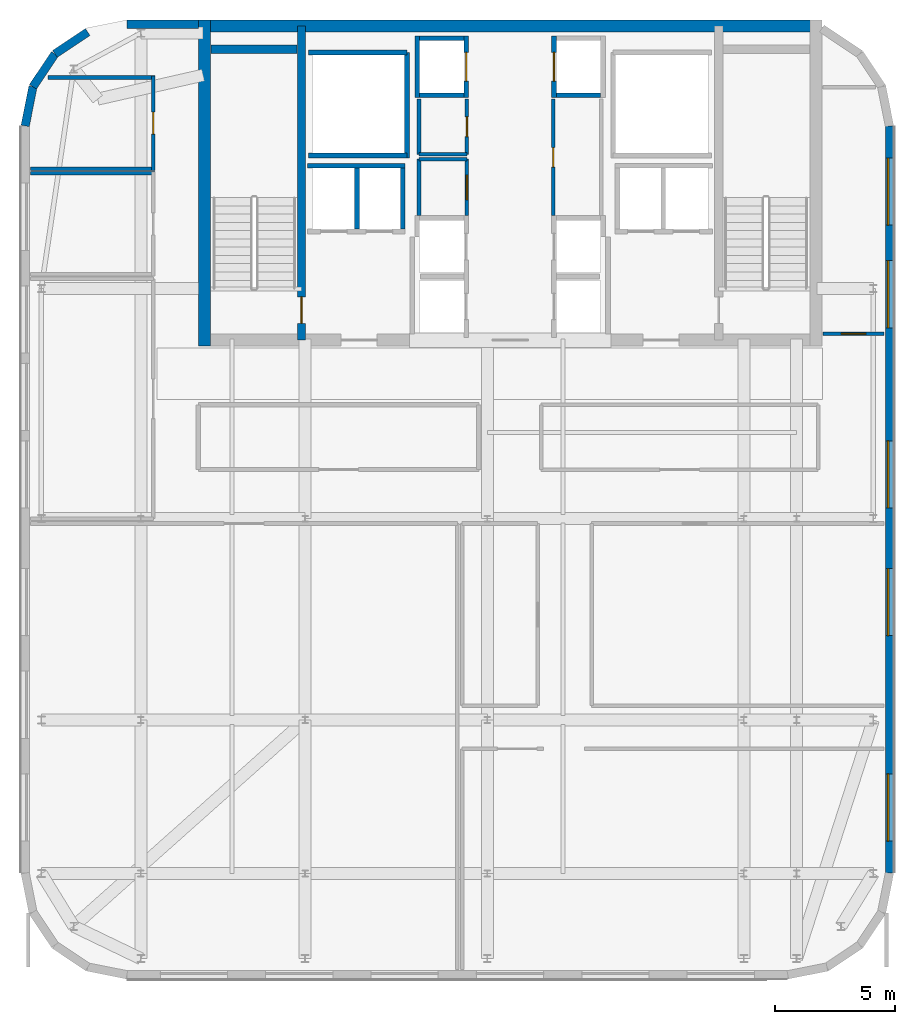
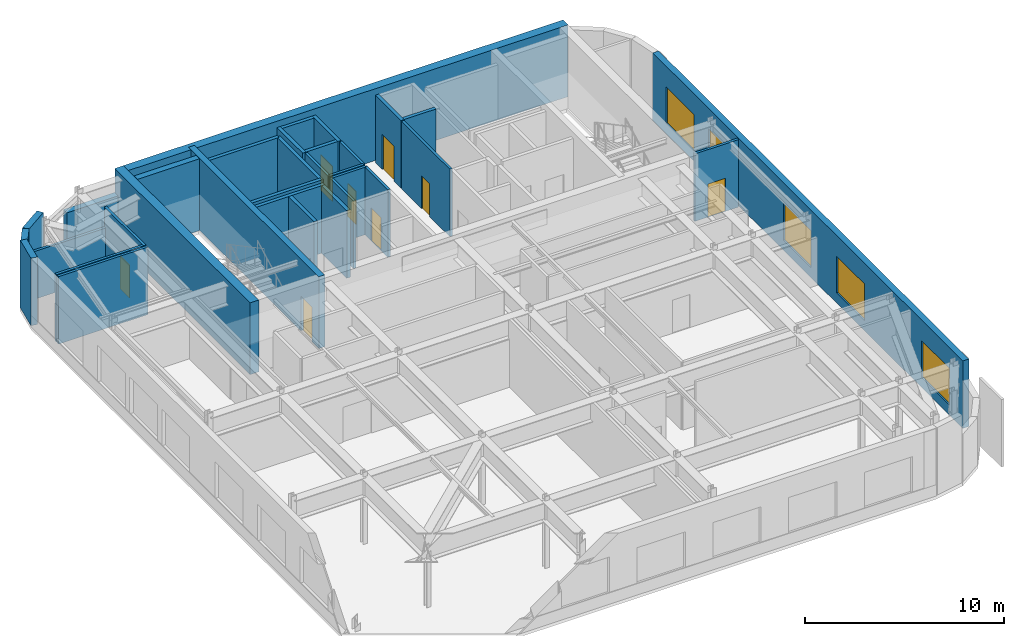
# One storey, part 8 of 13: 33 walls, 8 doors, 5 windows, 13 openings.
"""IFC4 building model written with IfcOpenShell, lengths in metres."""

from ifc_helpers import new_model, si_unit, direction, frame, frame_2d, origin, place, context, subcontext, project, spatial, rectangle, extrude, source, transform, mapped, material, layer, layer_set, type_object, type_shapes, element, fill, save


model = new_model("IFC4")

# Units and contexts
model_context = context("Model", 3, precision=1e-05, world=origin(), true_north=direction((0.0, 1.0)))
body_context = subcontext(model_context, "Body", "Model", "MODEL_VIEW")
ifc_project = project(units=[si_unit("LENGTHUNIT", "METRE"), si_unit("AREAUNIT", "SQUARE_METRE"), si_unit("VOLUMEUNIT", "CUBIC_METRE"), si_unit("PLANEANGLEUNIT", "RADIAN"), si_unit("MASSUNIT", "GRAM", prefix="KILO")], contexts=[model_context])

# Site, building, storey
site_placement = place(None, origin())
site = spatial("IfcSite", under=ifc_project, at=site_placement, CompositionType="ELEMENT")
building_placement = place(site_placement, origin())
building = spatial("IfcBuilding", under=site, at=building_placement, Name="Tolvann Quenvar Hotel", CompositionType="ELEMENT")
storey_placement = place(building_placement, frame((0.0, 0.0, 286.550048828125)))
storey = spatial("IfcBuildingStorey", under=building, at=storey_placement, Name="L76", CompositionType="ELEMENT", Elevation=286.550048828125)

# Walls
ifc_material_1 = material(Name="Concrete N50 (50 MPa)", Category="concrete")
ifc_layer_1 = layer(ifc_material_1, 0.5)
ifc_layer_set_1 = layer_set([ifc_layer_1], Name="Concrete N50 (50 MPa)")
wall_type_1 = type_object("IfcWallType", Name="WALL_CORE_500", PredefinedType="SHEAR", material=ifc_layer_set_1)
wall_1_placement = place(storey_placement, frame((10.0, 44.949951171875, 0.0), z_axis=(0.0, 0.0, 1.0), x_axis=(1.0, 0.0, 0.0)))
element("IfcWall", 1, at=wall_1_placement, inside=storey, type_object=wall_type_1, Name="Rear Core N Shear Wall (L76)", PredefinedType="SHEAR", context=body_context, shape_type="SweptSolid", body=[
    extrude(rectangle(XDim=26.0, YDim=0.5, at=frame_2d((13.0, 0.0))), origin(), (0.0, 0.0, 1.0), 4.39990234375),
])
wall_2_placement = place(storey_placement, frame((10.25, 31.60009765625, 0.0), z_axis=(0.0, 0.0, 1.0), x_axis=(0.0, 1.0, 0.0)))
element("IfcWall", 2, at=wall_2_placement, inside=storey, type_object=wall_type_1, Name="Rear Core W Shear Wall (L76)", PredefinedType="SHEAR", context=body_context, shape_type="SweptSolid", body=[
    extrude(rectangle(XDim=13.599853515625, YDim=0.5, at=frame_2d((6.7998046875, 0.0))), origin(), (0.0, 0.0, 1.0), 4.39990234375),
])

# Wall, opening, door
ifc_material_2 = material(Name="Concrete S65 (65 MPa)", Category="concrete")
ifc_layer_2 = layer(ifc_material_2, 0.35009765625)
ifc_layer_set_2 = layer_set([ifc_layer_2], Name="Concrete S65 (65 MPa)")
wall_type_2 = type_object("IfcWallType", Name="WALL_CORE_INT_350", PredefinedType="SHEAR", material=ifc_layer_set_2)
wall_3_placement = place(storey_placement, frame((14.300048828125, 31.85009765625, 0.0), z_axis=(0.0, 0.0, 1.0), x_axis=(0.0, 1.0, 0.0)))
wall_3 = element("IfcWall", 3, at=wall_3_placement, inside=storey, type_object=wall_type_2, Name="Core Internal Web Shear Wall WEB-W (L76)", PredefinedType="SHEAR", context=body_context, shape_type="SweptSolid", body=[
    extrude(rectangle(XDim=13.099853515625, YDim=0.35009765625, at=frame_2d((6.5498046875, 0.0))), origin(), (0.0, 0.0, 1.0), 4.39990234375),
])
opening_1_placement = place(wall_3_placement, frame((0.699951171875, 0.0, 0.0)))
opening_1 = element("IfcOpeningElement", 4, at=opening_1_placement, cuts=wall_3, Name="Opening FD-120", PredefinedType="OPENING", context=body_context, shape_type="SweptSolid", body=[
    extrude(rectangle(XDim=1.10009765625, YDim=2.1201171875, at=frame_2d((0.550048828125, 1.06005859375))), frame((0.0, 0.18505859375, 0.0), z_axis=(0.0, -1.0, 0.0), x_axis=(1.0, 0.0, 0.0)), (0.0, 0.0, 1.0), 0.3701171875),
])
ifc_material_3 = material(Name="Pressed galvanised steel fire-rated door set", Category="steel")
door_type_1 = type_object("IfcDoorType", Name="DOOR_FIRE_STAIR_1100", OperationType="NOTDEFINED", PredefinedType="DOOR", material=ifc_material_3)
shared_shape_1 = source(origin(), body_context, "Body", "SweptSolid", [
    extrude(rectangle(XDim=1.10009765625, YDim=2.1201171875, at=frame_2d((0.550048828125, 1.06005859375))), frame((0.0, 0.02490234375, 0.0), z_axis=(0.0, -1.0, 0.0), x_axis=(1.0, 0.0, 0.0)), (0.0, 0.0, 1.0), 0.050048828125),
])
type_shapes(door_type_1, [shared_shape_1])
door_1_placement = place(opening_1_placement, origin())
door_1 = element("IfcDoor", 5, at=door_1_placement, inside=storey, type_object=door_type_1, Name="Exit Stair ST-C1 Fire Door (L76)", OperationType="SINGLE_SWING_LEFT", OverallHeight=2.1201171875, OverallWidth=1.10009765625, PredefinedType="DOOR", context=body_context, shape_type="MappedRepresentation", body=[
    mapped(shared_shape_1, transform((0.0, 0.0, 0.0), x_axis=(1.0, 0.0, 0.0), y_axis=(0.0, 1.0, 0.0), z_axis=(0.0, 0.0, 1.0), scale=1.0)),
])
fill(opening_1, door_1)

# Wall
wall_4_placement = place(storey_placement, frame((10.52001953125, 43.97509765625, 0.0), z_axis=(0.0, 0.0, 1.0), x_axis=(1.0, 0.0, 0.0)))
element("IfcWall", 6, at=wall_4_placement, inside=storey, type_object=wall_type_2, Name="Core Stair North Closing Shear Wall STC1-N (L76)", PredefinedType="SHEAR", context=body_context, shape_type="SweptSolid", body=[
    extrude(rectangle(XDim=3.60009765625, YDim=0.35009765625, at=frame_2d((1.800048828125, 0.0))), origin(), (0.0, 0.0, 1.0), 4.39990234375),
])

# Wall, openings, windows
ifc_material_4 = material(Name="Kiln-fired red and buff architectural clay brickwork and terracotta masonry", Category="masonry")
ifc_layer_3 = layer(ifc_material_4, 0.35009765625)
ifc_layer_set_3 = layer_set([ifc_layer_3], Name="Kiln-fired red and buff architectural clay brickwork and terracotta masonry")
wall_type_3 = type_object("IfcWallType", Name="WALL_EXT_BRICK_350", PredefinedType="SOLIDWALL", material=ifc_layer_set_3)
wall_5_placement = place(storey_placement, frame((38.824951171875, 9.6171875, 0.0), z_axis=(0.0, 0.0, 1.0), x_axis=(0.0, 1.0, 0.0)))
wall_5 = element("IfcWall", 7, at=wall_5_placement, inside=storey, type_object=wall_type_3, Name="Exterior Chicago Brick Wall L76-E09", PredefinedType="SOLIDWALL", context=body_context, shape_type="SweptSolid", body=[
    extrude(rectangle(XDim=31.16552734375, YDim=0.35009765625, at=frame_2d((15.582763671875, 0.0))), origin(), (0.0, 0.0, 1.0), 4.139892578125),
])
opening_2_placement = place(wall_5_placement, frame((1.340087890625, 0.0, 0.6201171875)))
opening_2 = element("IfcOpeningElement", 8, at=opening_2_placement, cuts=wall_5, Name="Opening W-07", PredefinedType="OPENING", context=body_context, shape_type="SweptSolid", body=[
    extrude(rectangle(XDim=2.800048828125, YDim=2.25, at=frame_2d((1.39990234375, 1.125))), frame((0.0, 0.18505859375, 0.0), z_axis=(0.0, -1.0, 0.0), x_axis=(1.0, 0.0, 0.0)), (0.0, 0.0, 1.0), 0.3701171875),
])
opening_3_placement = place(wall_5_placement, frame((9.902099609375, 0.0, 0.6201171875)))
opening_3 = element("IfcOpeningElement", 9, at=opening_3_placement, cuts=wall_5, Name="Opening W-07", PredefinedType="OPENING", context=body_context, shape_type="SweptSolid", body=[
    extrude(rectangle(XDim=2.800048828125, YDim=2.25, at=frame_2d((1.39990234375, 1.125))), frame((0.0, 0.18505859375, 0.0), z_axis=(0.0, -1.0, 0.0), x_axis=(1.0, 0.0, 0.0)), (0.0, 0.0, 1.0), 0.3701171875),
])
opening_4_placement = place(wall_5_placement, frame((15.23291015625, 0.0, 0.6201171875)))
opening_4 = element("IfcOpeningElement", 10, at=opening_4_placement, cuts=wall_5, Name="Opening W-07", PredefinedType="OPENING", context=body_context, shape_type="SweptSolid", body=[
    extrude(rectangle(XDim=2.800048828125, YDim=2.25, at=frame_2d((1.39990234375, 1.125))), frame((0.0, 0.18505859375, 0.0), z_axis=(0.0, -1.0, 0.0), x_axis=(1.0, 0.0, 0.0)), (0.0, 0.0, 1.0), 0.3701171875),
])
opening_5_placement = place(wall_5_placement, frame((22.743896484375, 0.0, 0.6201171875)))
opening_5 = element("IfcOpeningElement", 11, at=opening_5_placement, cuts=wall_5, Name="Opening W-07", PredefinedType="OPENING", context=body_context, shape_type="SweptSolid", body=[
    extrude(rectangle(XDim=2.800048828125, YDim=2.25, at=frame_2d((1.39990234375, 1.125))), frame((0.0, 0.18505859375, 0.0), z_axis=(0.0, -1.0, 0.0), x_axis=(1.0, 0.0, 0.0)), (0.0, 0.0, 1.0), 0.3701171875),
])
opening_6_placement = place(wall_5_placement, frame((27.02490234375, 0.0, 0.6201171875)))
opening_6 = element("IfcOpeningElement", 12, at=opening_6_placement, cuts=wall_5, Name="Opening W-07", PredefinedType="OPENING", context=body_context, shape_type="SweptSolid", body=[
    extrude(rectangle(XDim=2.800048828125, YDim=2.25, at=frame_2d((1.39990234375, 1.125))), frame((0.0, 0.18505859375, 0.0), z_axis=(0.0, -1.0, 0.0), x_axis=(1.0, 0.0, 0.0)), (0.0, 0.0, 1.0), 0.3701171875),
])
ifc_material_5 = material(Name="Thermally broken bronze-anodised aluminium frame with double low-E glazing", Category="aluminium")
window_type = type_object("IfcWindowType", Name="WIN_OBS_2800x2350", PartitioningType="TRIPLE_PANEL_HORIZONTAL", PredefinedType="WINDOW", material=ifc_material_5)
shared_shape_2 = source(origin(), body_context, "Body", "SweptSolid", [
    extrude(rectangle(XDim=2.800048828125, YDim=2.25, at=frame_2d((1.39990234375, 1.125))), frame((0.0, 0.090087890625, 0.0), z_axis=(0.0, -1.0, 0.0), x_axis=(1.0, 0.0, 0.0)), (0.0, 0.0, 1.0), 0.06005859375),
])
type_shapes(window_type, [shared_shape_2])
window_1_placement = place(opening_2_placement, origin())
window_1 = element("IfcWindow", 13, at=window_1_placement, inside=storey, type_object=window_type, Name="Chicago Window W-07 (EW-L76-E09-W01)", OverallHeight=2.25, OverallWidth=2.800048828125, PartitioningType="TRIPLE_PANEL_HORIZONTAL", PredefinedType="WINDOW", context=body_context, shape_type="MappedRepresentation", body=[
    mapped(shared_shape_2, transform((0.0, 0.0, 0.0), x_axis=(1.0, 0.0, 0.0), y_axis=(0.0, 1.0, 0.0), z_axis=(0.0, 0.0, 1.0), scale=1.0)),
])
fill(opening_2, window_1)
window_2_placement = place(opening_3_placement, origin())
window_2 = element("IfcWindow", 14, at=window_2_placement, inside=storey, type_object=window_type, Name="Chicago Window W-07 (EW-L76-E09-W02)", OverallHeight=2.25, OverallWidth=2.800048828125, PartitioningType="TRIPLE_PANEL_HORIZONTAL", PredefinedType="WINDOW", context=body_context, shape_type="MappedRepresentation", body=[
    mapped(shared_shape_2, transform((0.0, 0.0, 0.0), x_axis=(1.0, 0.0, 0.0), y_axis=(0.0, 1.0, 0.0), z_axis=(0.0, 0.0, 1.0), scale=1.0)),
])
fill(opening_3, window_2)
window_3_placement = place(opening_4_placement, origin())
window_3 = element("IfcWindow", 15, at=window_3_placement, inside=storey, type_object=window_type, Name="Chicago Window W-07 (EW-L76-E09-W03)", OverallHeight=2.25, OverallWidth=2.800048828125, PartitioningType="TRIPLE_PANEL_HORIZONTAL", PredefinedType="WINDOW", context=body_context, shape_type="MappedRepresentation", body=[
    mapped(shared_shape_2, transform((0.0, 0.0, 0.0), x_axis=(1.0, 0.0, 0.0), y_axis=(0.0, 1.0, 0.0), z_axis=(0.0, 0.0, 1.0), scale=1.0)),
])
fill(opening_4, window_3)
window_4_placement = place(opening_5_placement, origin())
window_4 = element("IfcWindow", 16, at=window_4_placement, inside=storey, type_object=window_type, Name="Chicago Window W-07 (EW-L76-E09-W04)", OverallHeight=2.25, OverallWidth=2.800048828125, PartitioningType="TRIPLE_PANEL_HORIZONTAL", PredefinedType="WINDOW", context=body_context, shape_type="MappedRepresentation", body=[
    mapped(shared_shape_2, transform((0.0, 0.0, 0.0), x_axis=(1.0, 0.0, 0.0), y_axis=(0.0, 1.0, 0.0), z_axis=(0.0, 0.0, 1.0), scale=1.0)),
])
fill(opening_5, window_4)
window_5_placement = place(opening_6_placement, origin())
window_5 = element("IfcWindow", 17, at=window_5_placement, inside=storey, type_object=window_type, Name="Chicago Window W-07 (EW-L76-E09-W05)", OverallHeight=2.25, OverallWidth=2.800048828125, PartitioningType="TRIPLE_PANEL_HORIZONTAL", PredefinedType="WINDOW", context=body_context, shape_type="MappedRepresentation", body=[
    mapped(shared_shape_2, transform((0.0, 0.0, 0.0), x_axis=(1.0, 0.0, 0.0), y_axis=(0.0, 1.0, 0.0), z_axis=(0.0, 0.0, 1.0), scale=1.0)),
])
fill(opening_6, window_5)

# Walls
wall_6_placement = place(storey_placement, frame((9.99609375, 45.02490234375, 0.0), z_axis=(0.0, 0.0, 1.0), x_axis=(-1.0, 0.0, 0.0)))
element("IfcWall", 18, at=wall_6_placement, inside=storey, type_object=wall_type_3, Name="Exterior Chicago Brick Wall L76-E14NW", PredefinedType="SOLIDWALL", context=body_context, shape_type="SweptSolid", body=[
    extrude(rectangle(XDim=2.97900390625, YDim=0.35009765625, at=frame_2d((1.489501953125, 0.0))), origin(), (0.0, 0.0, 1.0), 2.929931640625),
])
for number, where, z_axis, x_axis, name in (
    (19, (5.384521484375, 44.7001953125, 0.0), (0.0, 0.0, 1.0), (-0.831502623162, -0.555520825599, 0.0), "Exterior Chicago Brick Wall L76-E16"),
    (20, (4.014892578125, 43.78515625, 0.0), (0.0, 0.0, 1.0), (-0.555623290322, -0.831434158098, 0.0), "Exterior Chicago Brick Wall L76-E17"),
):
    element("IfcWall", number, at=place(storey_placement, frame(where, z_axis=z_axis, x_axis=x_axis)), inside=storey, type_object=wall_type_3, Name=name, PredefinedType="SOLIDWALL", context=body_context, shape_type="SweptSolid", body=[
        extrude(rectangle(XDim=1.647216796875, YDim=0.35009765625, at=frame_2d((0.82373046875, 0.0))), origin(), (0.0, 0.0, 1.0), 3.669921875),
    ])
wall_7_placement = place(storey_placement, frame((3.099609375, 42.41552734375, 0.0), z_axis=(0.0, 0.0, 1.0), x_axis=(-0.195044345786, -0.980794424524, 0.0)))
element("IfcWall", 21, at=wall_7_placement, inside=storey, type_object=wall_type_3, Name="Exterior Chicago Brick Wall L76-E18", PredefinedType="SOLIDWALL", context=body_context, shape_type="SweptSolid", body=[
    extrude(rectangle(XDim=1.664794921875, YDim=0.35009765625, at=frame_2d((0.83251953125, 0.0))), origin(), (0.0, 0.0, 1.0), 4.139892578125),
])
ifc_material_6 = material(Name="Acoustic twin-stud fire-rated gypsum plasterboard partition")
ifc_layer_4 = layer(ifc_material_6, 0.14990234375)
ifc_layer_set_4 = layer_set([ifc_layer_4], Name="Acoustic twin-stud fire-rated gypsum plasterboard partition")
wall_type_4 = type_object("IfcWallType", Name="WALL_PART_SUITE_150", PredefinedType="PARTITIONING", material=ifc_layer_set_4)
wall_8_placement = place(storey_placement, frame((19.199951171875, 39.39990234375, 0.0), z_axis=(0.0, 0.0, 1.0), x_axis=(1.0, 0.0, 0.0)))
element("IfcWall", 22, at=wall_8_placement, inside=storey, type_object=wall_type_4, Name="Interior Partition PT-SPC-L76-RECPM-W1-N", PredefinedType="PARTITIONING", context=body_context, shape_type="SweptSolid", body=[
    extrude(rectangle(XDim=2.0, YDim=0.14990234375, at=frame_2d((1.0, 0.0))), origin(), (0.0, 0.0, 1.0), 4.139892578125),
])
wall_9_placement = place(storey_placement, frame((19.199951171875, 37.0400390625, 0.0), z_axis=(0.0, 0.0, 1.0), x_axis=(0.0, 1.0, 0.0)))
element("IfcWall", 23, at=wall_9_placement, inside=storey, type_object=wall_type_4, Name="Interior Partition PT-SPC-L76-RECPM-W1-W", PredefinedType="PARTITIONING", context=body_context, shape_type="SweptSolid", body=[
    extrude(rectangle(XDim=2.35986328125, YDim=0.14990234375, at=frame_2d((1.179931640625, 0.0))), origin(), (0.0, 0.0, 1.0), 4.139892578125),
])

# Wall, opening, door
wall_10_placement = place(storey_placement, frame((21.199951171875, 37.0400390625, 0.0), z_axis=(0.0, 0.0, 1.0), x_axis=(0.0, 1.0, 0.0)))
wall_10 = element("IfcWall", 24, at=wall_10_placement, inside=storey, type_object=wall_type_4, Name="Interior Partition PT-SPC-L76-RECPM-W1-E", PredefinedType="PARTITIONING", context=body_context, shape_type="SweptSolid", body=[
    extrude(rectangle(XDim=2.35986328125, YDim=0.14990234375, at=frame_2d((1.179931640625, 0.0))), origin(), (0.0, 0.0, 1.0), 4.139892578125),
])
opening_7_placement = place(wall_10_placement, frame((0.669921875, 0.0, 0.0)))
opening_7 = element("IfcOpeningElement", 25, at=opening_7_placement, cuts=wall_10, Name="Opening HD-01", PredefinedType="OPENING", context=body_context, shape_type="SweptSolid", body=[
    extrude(rectangle(XDim=1.02001953125, YDim=2.030029296875, at=frame_2d((0.510009765625, 1.01513671875))), frame((0.0, 0.0849609375, 0.0), z_axis=(0.0, -1.0, 0.0), x_axis=(1.0, 0.0, 0.0)), (0.0, 0.0, 1.0), 0.169921875),
])
door_type_2 = type_object("IfcDoorType", Name="DOOR_BOH_1020", OperationType="NOTDEFINED", PredefinedType="DOOR", material=ifc_material_3)
shared_shape_3 = source(origin(), body_context, "Body", "SweptSolid", [
    extrude(rectangle(XDim=1.02001953125, YDim=2.030029296875, at=frame_2d((0.510009765625, 1.01513671875))), frame((0.0, 0.02490234375, 0.0), z_axis=(0.0, -1.0, 0.0), x_axis=(1.0, 0.0, 0.0)), (0.0, 0.0, 1.0), 0.050048828125),
])
type_shapes(door_type_2, [shared_shape_3])
door_2_placement = place(opening_7_placement, origin())
door_2 = element("IfcDoor", 26, at=door_2_placement, inside=storey, type_object=door_type_2, Name="Interior Door DOOR-SPC-L76-RECPM-W1", OperationType="SINGLE_SWING_RIGHT", OverallHeight=2.030029296875, OverallWidth=1.02001953125, PredefinedType="DOOR", context=body_context, shape_type="MappedRepresentation", body=[
    mapped(shared_shape_3, transform((0.0, 0.0, 0.0), x_axis=(1.0, 0.0, 0.0), y_axis=(0.0, 1.0, 0.0), z_axis=(0.0, 0.0, 1.0), scale=1.0)),
])
fill(opening_7, door_2)

# Walls
wall_11_placement = place(storey_placement, frame((19.199951171875, 39.60009765625, 0.0), z_axis=(0.0, 0.0, 1.0), x_axis=(1.0, 0.0, 0.0)))
element("IfcWall", 27, at=wall_11_placement, inside=storey, type_object=wall_type_4, Name="Interior Partition PT-SPC-L76-RECPM-W2-S", PredefinedType="PARTITIONING", context=body_context, shape_type="SweptSolid", body=[
    extrude(rectangle(XDim=2.0, YDim=0.14990234375, at=frame_2d((1.0, 0.0))), origin(), (0.0, 0.0, 1.0), 4.139892578125),
])
wall_12_placement = place(storey_placement, frame((19.199951171875, 39.60009765625, 0.0), z_axis=(0.0, 0.0, 1.0), x_axis=(0.0, 1.0, 0.0)))
element("IfcWall", 28, at=wall_12_placement, inside=storey, type_object=wall_type_4, Name="Interior Partition PT-SPC-L76-RECPM-W2-W", PredefinedType="PARTITIONING", context=body_context, shape_type="SweptSolid", body=[
    extrude(rectangle(XDim=2.2998046875, YDim=0.14990234375, at=frame_2d((1.14990234375, 0.0))), origin(), (0.0, 0.0, 1.0), 4.139892578125),
])

# Wall, opening, door
wall_13_placement = place(storey_placement, frame((21.199951171875, 39.60009765625, 0.0), z_axis=(0.0, 0.0, 1.0), x_axis=(0.0, 1.0, 0.0)))
wall_13 = element("IfcWall", 29, at=wall_13_placement, inside=storey, type_object=wall_type_4, Name="Interior Partition PT-SPC-L76-RECPM-W2-E", PredefinedType="PARTITIONING", context=body_context, shape_type="SweptSolid", body=[
    extrude(rectangle(XDim=2.2998046875, YDim=0.14990234375, at=frame_2d((1.14990234375, 0.0))), origin(), (0.0, 0.0, 1.0), 4.139892578125),
])
opening_8_placement = place(wall_13_placement, frame((0.739990234375, 0.0, 0.0)))
opening_8 = element("IfcOpeningElement", 30, at=opening_8_placement, cuts=wall_13, Name="Opening HD-02", PredefinedType="OPENING", context=body_context, shape_type="SweptSolid", body=[
    extrude(rectangle(XDim=0.820068359375, YDim=2.010009765625, at=frame_2d((0.41015625, 1.0048828125))), frame((0.0, 0.0849609375, 0.0), z_axis=(0.0, -1.0, 0.0), x_axis=(1.0, 0.0, 0.0)), (0.0, 0.0, 1.0), 0.169921875),
])
door_type_3 = type_object("IfcDoorType", Name="DOOR_STORE_820", OperationType="NOTDEFINED", PredefinedType="DOOR", material=ifc_material_3)
shared_shape_4 = source(origin(), body_context, "Body", "SweptSolid", [
    extrude(rectangle(XDim=0.820068359375, YDim=2.010009765625, at=frame_2d((0.41015625, 1.0048828125))), frame((0.0, 0.02490234375, 0.0), z_axis=(0.0, -1.0, 0.0), x_axis=(1.0, 0.0, 0.0)), (0.0, 0.0, 1.0), 0.050048828125),
])
type_shapes(door_type_3, [shared_shape_4])
door_3_placement = place(opening_8_placement, origin())
door_3 = element("IfcDoor", 31, at=door_3_placement, inside=storey, type_object=door_type_3, Name="Interior Door DOOR-SPC-L76-RECPM-W2", OperationType="SINGLE_SWING_LEFT", OverallHeight=2.010009765625, OverallWidth=0.820068359375, PredefinedType="DOOR", context=body_context, shape_type="MappedRepresentation", body=[
    mapped(shared_shape_4, transform((0.0, 0.0, 0.0), x_axis=(1.0, 0.0, 0.0), y_axis=(0.0, 1.0, 0.0), z_axis=(0.0, 0.0, 1.0), scale=1.0)),
])
fill(opening_8, door_3)

wall_14_placement = place(storey_placement, frame((24.800048828125, 37.0400390625, 0.0), z_axis=(0.0, 0.0, 1.0), x_axis=(0.0, 1.0, 0.0)))
wall_14 = element("IfcWall", 32, at=wall_14_placement, inside=storey, type_object=wall_type_4, Name="Interior Partition PT-SPC-L76-RECPM-E-W", PredefinedType="PARTITIONING", context=body_context, shape_type="SweptSolid", body=[
    extrude(rectangle(XDim=4.85986328125, YDim=0.14990234375, at=frame_2d((2.429931640625, 0.0))), origin(), (0.0, 0.0, 1.0), 4.139892578125),
])
opening_9_placement = place(wall_14_placement, frame((2.02001953125, 0.0, 0.0)))
opening_9 = element("IfcOpeningElement", 33, at=opening_9_placement, cuts=wall_14, Name="Opening HD-02", PredefinedType="OPENING", context=body_context, shape_type="SweptSolid", body=[
    extrude(rectangle(XDim=0.820068359375, YDim=2.010009765625, at=frame_2d((0.41015625, 1.0048828125))), frame((0.0, 0.0849609375, 0.0), z_axis=(0.0, -1.0, 0.0), x_axis=(1.0, 0.0, 0.0)), (0.0, 0.0, 1.0), 0.169921875),
])
door_4_placement = place(opening_9_placement, origin())
door_4 = element("IfcDoor", 34, at=door_4_placement, inside=storey, type_object=door_type_3, Name="Interior Door DOOR-SPC-L76-RECPM-E", OperationType="SINGLE_SWING_RIGHT", OverallHeight=2.010009765625, OverallWidth=0.820068359375, PredefinedType="DOOR", context=body_context, shape_type="MappedRepresentation", body=[
    mapped(shared_shape_4, transform((0.0, 0.0, 0.0), x_axis=(1.0, 0.0, 0.0), y_axis=(0.0, 1.0, 0.0), z_axis=(0.0, 0.0, 1.0), scale=1.0)),
])
fill(opening_9, door_4)

wall_15_placement = place(storey_placement, frame((36.054931640625, 32.1201171875, 0.0), z_axis=(0.0, 0.0, 1.0), x_axis=(1.0, 0.0, 0.0)))
wall_15 = element("IfcWall", 35, at=wall_15_placement, inside=storey, type_object=wall_type_4, Name="Interior Partition PT-SPC-L76-RECPL-S", PredefinedType="PARTITIONING", context=body_context, shape_type="SweptSolid", body=[
    extrude(rectangle(XDim=2.5400390625, YDim=0.14990234375, at=frame_2d((1.27001953125, 0.0))), origin(), (0.0, 0.0, 1.0), 4.139892578125),
])
opening_10_placement = place(wall_15_placement, frame((0.760009765625, 0.0, 0.0)))
opening_10 = element("IfcOpeningElement", 36, at=opening_10_placement, cuts=wall_15, Name="Opening HD-01", PredefinedType="OPENING", context=body_context, shape_type="SweptSolid", body=[
    extrude(rectangle(XDim=1.02001953125, YDim=2.030029296875, at=frame_2d((0.510009765625, 1.01513671875))), frame((0.0, 0.0849609375, 0.0), z_axis=(0.0, -1.0, 0.0), x_axis=(1.0, 0.0, 0.0)), (0.0, 0.0, 1.0), 0.169921875),
])
door_5_placement = place(opening_10_placement, origin())
door_5 = element("IfcDoor", 37, at=door_5_placement, inside=storey, type_object=door_type_2, Name="Interior Door DOOR-SPC-L76-RECPL", OperationType="SINGLE_SWING_LEFT", OverallHeight=2.030029296875, OverallWidth=1.02001953125, PredefinedType="DOOR", context=body_context, shape_type="MappedRepresentation", body=[
    mapped(shared_shape_3, transform((0.0, 0.0, 0.0), x_axis=(1.0, 0.0, 0.0), y_axis=(0.0, 1.0, 0.0), z_axis=(0.0, 0.0, 1.0), scale=1.0)),
])
fill(opening_10, door_5)

# Walls
for number, where, z_axis, x_axis, name in (
    (38, (3.0048828125, 38.800048828125, 0.0), (0.0, 0.0, 1.0), (1.0, 0.0, 0.0), "Interior Partition PT-SPC-L76-WC1-N"),
    (39, (3.0048828125, 39.0, 0.0), (0.0, 0.0, 1.0), (1.0, 0.0, 0.0), "Interior Partition PT-SPC-L76-WCA-S"),
):
    element("IfcWall", number, at=place(storey_placement, frame(where, z_axis=z_axis, x_axis=x_axis)), inside=storey, type_object=wall_type_4, Name=name, PredefinedType="PARTITIONING", context=body_context, shape_type="SweptSolid", body=[
        extrude(rectangle(XDim=5.18505859375, YDim=0.14990234375, at=frame_2d((2.592529296875, 0.0))), origin(), (0.0, 0.0, 1.0), 4.139892578125),
    ])
wall_16_placement = place(storey_placement, frame((3.73193359375, 42.800048828125, 0.0), z_axis=(0.0, 0.0, 1.0), x_axis=(1.0, 0.0, 0.0)))
element("IfcWall", 40, at=wall_16_placement, inside=storey, type_object=wall_type_4, Name="Interior Partition PT-SPC-L76-WCA-N", PredefinedType="PARTITIONING", context=body_context, shape_type="SweptSolid", body=[
    extrude(rectangle(XDim=4.4580078125, YDim=0.14990234375, at=frame_2d((2.22900390625, 0.0))), origin(), (0.0, 0.0, 1.0), 2.929931640625),
])

# Wall, opening, door
wall_17_placement = place(storey_placement, frame((8.1201171875, 38.929931640625, 0.0), z_axis=(0.0, 0.0, 1.0), x_axis=(0.0, 1.0, 0.0)))
wall_17 = element("IfcWall", 41, at=wall_17_placement, inside=storey, type_object=wall_type_4, Name="Interior Partition PT-SPC-L76-WCA-E", PredefinedType="PARTITIONING", context=body_context, shape_type="SweptSolid", body=[
    extrude(rectangle(XDim=3.940185546875, YDim=0.14990234375, at=frame_2d((1.97021484375, 0.0))), origin(), (0.0, 0.0, 1.0), 4.139892578125),
])
opening_11_placement = place(wall_17_placement, frame((1.510009765625, 0.0, 0.0)))
opening_11 = element("IfcOpeningElement", 42, at=opening_11_placement, cuts=wall_17, Name="Opening WD-01", PredefinedType="OPENING", context=body_context, shape_type="SweptSolid", body=[
    extrude(rectangle(XDim=0.919921875, YDim=2.010009765625, at=frame_2d((0.4599609375, 1.0048828125))), frame((0.0, 0.0849609375, 0.0), z_axis=(0.0, -1.0, 0.0), x_axis=(1.0, 0.0, 0.0)), (0.0, 0.0, 1.0), 0.169921875),
])
ifc_material_7 = material(Name="Solid-core American oak acoustic fire door leaf in steel frame", Category="steel")
door_type_4 = type_object("IfcDoorType", Name="DOOR_WC_920", OperationType="NOTDEFINED", PredefinedType="DOOR", material=ifc_material_7)
shared_shape_5 = source(origin(), body_context, "Body", "SweptSolid", [
    extrude(rectangle(XDim=0.919921875, YDim=2.010009765625, at=frame_2d((0.4599609375, 1.0048828125))), frame((0.0, 0.02490234375, 0.0), z_axis=(0.0, -1.0, 0.0), x_axis=(1.0, 0.0, 0.0)), (0.0, 0.0, 1.0), 0.050048828125),
])
type_shapes(door_type_4, [shared_shape_5])
door_6_placement = place(opening_11_placement, origin())
door_6 = element("IfcDoor", 43, at=door_6_placement, inside=storey, type_object=door_type_4, Name="Interior Door DOOR-SPC-L76-WCA", OperationType="SINGLE_SWING_LEFT", OverallHeight=2.010009765625, OverallWidth=0.919921875, PredefinedType="DOOR", context=body_context, shape_type="MappedRepresentation", body=[
    mapped(shared_shape_5, transform((0.0, 0.0, 0.0), x_axis=(1.0, 0.0, 0.0), y_axis=(0.0, 1.0, 0.0), z_axis=(0.0, 0.0, 1.0), scale=1.0)),
])
fill(opening_11, door_6)

# Walls
ifc_material_8 = material(Name="Concrete N40 (40 MPa)", Category="concrete")
ifc_layer_5 = layer(ifc_material_8, 0.199951171875)
ifc_layer_set_5 = layer_set([ifc_layer_5], Name="Concrete N40 (40 MPa)")
wall_type_5 = type_object("IfcWallType", Name="WALL_SHAFT_200", PredefinedType="SOLIDWALL", material=ifc_layer_set_5)
wall_18_placement = place(storey_placement, frame((18.699951171875, 39.449951171875, 0.0), z_axis=(0.0, 0.0, 1.0), x_axis=(0.0, 1.0, 0.0)))
element("IfcWall", 44, at=wall_18_placement, inside=storey, type_object=wall_type_5, Name="Service Riser W Shaft Wall IN (L76)", PredefinedType="SOLIDWALL", context=body_context, shape_type="SweptSolid", body=[
    extrude(rectangle(XDim=4.400146484375, YDim=0.199951171875, at=frame_2d((2.2001953125, 0.0))), origin(), (0.0, 0.0, 1.0), 4.139892578125),
])
for number, where, z_axis, x_axis, name in (
    (45, (14.60009765625, 39.550048828125, 0.0), (0.0, 0.0, 1.0), (1.0, 0.0, 0.0), "Service Riser W Shaft Wall S (L76)"),
    (46, (14.60009765625, 43.85009765625, 0.0), (0.0, 0.0, 1.0), (1.0, 0.0, 0.0), "Service Riser W Shaft Wall N (L76)"),
):
    element("IfcWall", number, at=place(storey_placement, frame(where, z_axis=z_axis, x_axis=x_axis)), inside=storey, type_object=wall_type_5, Name=name, PredefinedType="SOLIDWALL", context=body_context, shape_type="SweptSolid", body=[
        extrude(rectangle(XDim=4.099853515625, YDim=0.199951171875, at=frame_2d((2.0498046875, 0.0))), origin(), (0.0, 0.0, 1.0), 4.139892578125),
    ])

# Wall, opening, door
wall_19_placement = place(storey_placement, frame((21.169921875, 41.9599609375, 0.0), z_axis=(0.0, 0.0, 1.0), x_axis=(0.0, 1.0, 0.0)))
wall_19 = element("IfcWall", 47, at=wall_19_placement, inside=storey, type_object=wall_type_5, Name="Lift Bank E21.1C2 Hoistway Front Wall (L76)", PredefinedType="SOLIDWALL", context=body_context, shape_type="SweptSolid", body=[
    extrude(rectangle(XDim=2.580078125, YDim=0.199951171875, at=frame_2d((1.2900390625, 0.0))), origin(), (0.0, 0.0, 1.0), 4.139892578125),
])
opening_12_placement = place(wall_19_placement, frame((0.68994140625, 0.0, 0.0)))
opening_12 = element("IfcOpeningElement", 48, at=opening_12_placement, cuts=wall_19, Name="Opening LD-02", PredefinedType="OPENING", context=body_context, shape_type="SweptSolid", body=[
    extrude(rectangle(XDim=1.199951171875, YDim=2.14990234375, at=frame_2d((0.60009765625, 1.074951171875))), frame((0.0, 0.10986328125, 0.0), z_axis=(0.0, -1.0, 0.0), x_axis=(1.0, 0.0, 0.0)), (0.0, 0.0, 1.0), 0.219970703125),
])
ifc_material_9 = material(Name="Brushed 316 stainless steel automatic sliding lift landing door", Category="steel")
door_type_5 = type_object("IfcDoorType", Name="DOOR_LIFT_OBS_1200", OperationType="NOTDEFINED", PredefinedType="DOOR", material=ifc_material_9)
shared_shape_6 = source(origin(), body_context, "Body", "SweptSolid", [
    extrude(rectangle(XDim=1.199951171875, YDim=2.14990234375, at=frame_2d((0.60009765625, 1.074951171875))), frame((0.0, 0.02490234375, 0.0), z_axis=(0.0, -1.0, 0.0), x_axis=(1.0, 0.0, 0.0)), (0.0, 0.0, 1.0), 0.050048828125),
])
type_shapes(door_type_5, [shared_shape_6])
door_7_placement = place(opening_12_placement, origin())
door_7 = element("IfcDoor", 49, at=door_7_placement, inside=storey, type_object=door_type_5, Name="Lift OB-1 Sliding Landing Door (L76)", OperationType="SLIDING_TO_RIGHT", OverallHeight=2.14990234375, OverallWidth=1.199951171875, PredefinedType="DOOR", context=body_context, shape_type="MappedRepresentation", body=[
    mapped(shared_shape_6, transform((0.0, 0.0, 0.0), x_axis=(1.0, 0.0, 0.0), y_axis=(0.0, 1.0, 0.0), z_axis=(0.0, 0.0, 1.0), scale=1.0)),
])
fill(opening_12, door_7)

# Walls
wall_20_placement = place(storey_placement, frame((19.1298828125, 41.9599609375, 0.0), z_axis=(0.0, 0.0, 1.0), x_axis=(0.0, 1.0, 0.0)))
element("IfcWall", 50, at=wall_20_placement, inside=storey, type_object=wall_type_5, Name="Lift Bank E21.1C2 Hoistway Rear Wall (L76)", PredefinedType="SOLIDWALL", context=body_context, shape_type="SweptSolid", body=[
    extrude(rectangle(XDim=2.580078125, YDim=0.199951171875, at=frame_2d((1.2900390625, 0.0))), origin(), (0.0, 0.0, 1.0), 4.139892578125),
])
for number, where, z_axis, x_axis, name in (
    (51, (19.22998046875, 42.06005859375, 0.0), (0.0, 0.0, 1.0), (1.0, 0.0, 0.0), "Lift Bank E21.1C2 Hoistway Cheek Wall 1 (L76)"),
    (52, (19.22998046875, 44.43994140625, 0.0), (0.0, 0.0, 1.0), (1.0, 0.0, 0.0), "Lift Bank E21.1C2 Hoistway Cheek Wall 2 (L76)"),
):
    element("IfcWall", number, at=place(storey_placement, frame(where, z_axis=z_axis, x_axis=x_axis)), inside=storey, type_object=wall_type_5, Name=name, PredefinedType="SOLIDWALL", context=body_context, shape_type="SweptSolid", body=[
        extrude(rectangle(XDim=1.840087890625, YDim=0.199951171875, at=frame_2d((0.919921875, 0.0))), origin(), (0.0, 0.0, 1.0), 4.139892578125),
    ])
wall_21_placement = place(storey_placement, frame((14.550048828125, 39.1201171875, 0.0), z_axis=(0.0, 0.0, 1.0), x_axis=(1.0, 0.0, 0.0)))
element("IfcWall", 53, at=wall_21_placement, inside=storey, type_object=wall_type_5, Name="Lift Bank SWC1 Hoistway Rear Wall (L76)", PredefinedType="SOLIDWALL", context=body_context, shape_type="SweptSolid", body=[
    extrude(rectangle(XDim=4.074951171875, YDim=0.199951171875, at=frame_2d((2.03759765625, 0.0))), origin(), (0.0, 0.0, 1.0), 4.139892578125),
])
for number, where, z_axis, x_axis, name in (
    (54, (18.52490234375, 36.47998046875, 0.0), (0.0, 0.0, 1.0), (0.0, 1.0, 0.0), "Lift Bank SWC1 Hoistway Cheek Wall 2 (L76)"),
    (55, (16.612548828125, 36.47998046875, 0.0), (0.0, 0.0, 1.0), (0.0, 1.0, 0.0), "Lift Bank SWC1 Divider Wall 1 (L76)"),
):
    element("IfcWall", number, at=place(storey_placement, frame(where, z_axis=z_axis, x_axis=x_axis)), inside=storey, type_object=wall_type_5, Name=name, PredefinedType="SOLIDWALL", context=body_context, shape_type="SweptSolid", body=[
        extrude(rectangle(XDim=2.5400390625, YDim=0.199951171875, at=frame_2d((1.27001953125, 0.0))), origin(), (0.0, 0.0, 1.0), 4.139892578125),
    ])

# Wall, opening, door
wall_22_placement = place(storey_placement, frame((24.830078125, 41.9599609375, 0.0), z_axis=(0.0, 0.0, 1.0), x_axis=(0.0, 1.0, 0.0)))
wall_22 = element("IfcWall", 56, at=wall_22_placement, inside=storey, type_object=wall_type_5, Name="Lift Bank W24.9C2 Hoistway Front Wall (L76)", PredefinedType="SOLIDWALL", context=body_context, shape_type="SweptSolid", body=[
    extrude(rectangle(XDim=2.580078125, YDim=0.199951171875, at=frame_2d((1.2900390625, 0.0))), origin(), (0.0, 0.0, 1.0), 4.139892578125),
])
opening_13_placement = place(wall_22_placement, frame((0.68994140625, 0.0, 0.0)))
opening_13 = element("IfcOpeningElement", 57, at=opening_13_placement, cuts=wall_22, Name="Opening LD-02", PredefinedType="OPENING", context=body_context, shape_type="SweptSolid", body=[
    extrude(rectangle(XDim=1.199951171875, YDim=2.14990234375, at=frame_2d((0.60009765625, 1.074951171875))), frame((0.0, 0.10986328125, 0.0), z_axis=(0.0, -1.0, 0.0), x_axis=(1.0, 0.0, 0.0)), (0.0, 0.0, 1.0), 0.219970703125),
])
door_8_placement = place(opening_13_placement, origin())
door_8 = element("IfcDoor", 58, at=door_8_placement, inside=storey, type_object=door_type_5, Name="Lift OB-2 Sliding Landing Door (L76)", OperationType="SLIDING_TO_LEFT", OverallHeight=2.14990234375, OverallWidth=1.199951171875, PredefinedType="DOOR", context=body_context, shape_type="MappedRepresentation", body=[
    mapped(shared_shape_6, transform((0.0, 0.0, 0.0), x_axis=(1.0, 0.0, 0.0), y_axis=(0.0, 1.0, 0.0), z_axis=(0.0, 0.0, 1.0), scale=1.0)),
])
fill(opening_13, door_8)

# Wall
wall_23_placement = place(storey_placement, frame((24.929931640625, 42.06005859375, 0.0), z_axis=(0.0, 0.0, 1.0), x_axis=(1.0, 0.0, 0.0)))
element("IfcWall", 59, at=wall_23_placement, inside=storey, type_object=wall_type_5, Name="Lift Bank W24.9C2 Hoistway Cheek Wall 1 (L76)", PredefinedType="SOLIDWALL", context=body_context, shape_type="SweptSolid", body=[
    extrude(rectangle(XDim=1.840087890625, YDim=0.199951171875, at=frame_2d((0.919921875, 0.0))), origin(), (0.0, 0.0, 1.0), 4.139892578125),
])

save(model, "model.ifc")
